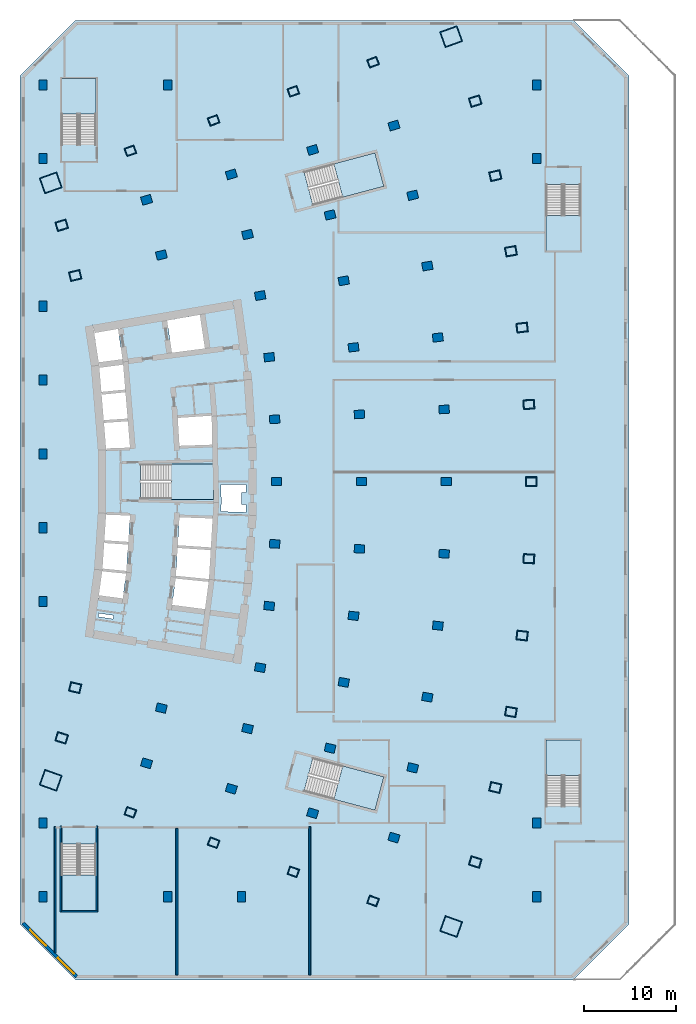
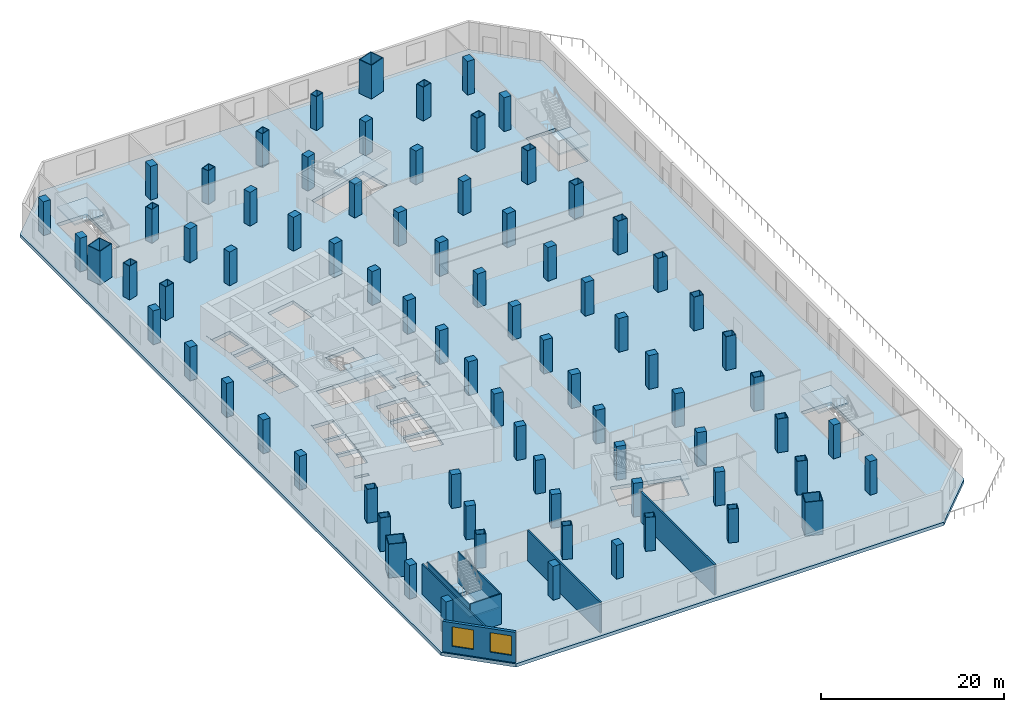
# One storey, part 1 of 14: 80 columns, 8 slabs, 7 walls, 2 windows, 2 openings, 7 elements without a shape of their own.
"""IFC4 building model written with IfcOpenShell, lengths in metres."""

from ifc_helpers import new_model, si_unit, direction, frame, frame_2d, origin, origin_2d, place, context, subcontext, project, spatial, polyline, rectangle, hollow_rectangle, outline, extrude, material, layer, layer_set, material_profile, profile_set, type_object, element, fill, aggregate, save


model = new_model("IFC4")

# Units and contexts
model_context = context("Model", 3, precision=1e-05, world=origin(), true_north=direction((0.0, 1.0)))
body_context = subcontext(model_context, "Body", "Model", "MODEL_VIEW")
ifc_project = project(units=[si_unit("LENGTHUNIT", "METRE"), si_unit("AREAUNIT", "SQUARE_METRE"), si_unit("VOLUMEUNIT", "CUBIC_METRE"), si_unit("PLANEANGLEUNIT", "RADIAN"), si_unit("MASSUNIT", "GRAM", prefix="KILO")], contexts=[model_context])

# Site, building, storey
site_placement = place(None, origin())
site = spatial("IfcSite", under=ifc_project, at=site_placement, CompositionType="ELEMENT")
building_placement = place(site_placement, origin())
building = spatial("IfcBuilding", under=site, at=building_placement, Name="Alderwake Tower", CompositionType="ELEMENT")
storey_placement = place(building_placement, frame((0.0, 0.0, 23.0)))
storey = spatial("IfcBuildingStorey", under=building, at=storey_placement, Name="L04", CompositionType="ELEMENT", Elevation=23.0)

# Columns
ifc_material_1 = material(Name="Steel ASTM A572 Grade 50 concrete filled C70/85", Category="concrete")
ifc_material_profile_1 = material_profile(ifc_material_1, hollow_rectangle(XDim=0.89990234375, YDim=1.10009765625, WallThickness=0.06005859375, at=origin_2d()), Name="BOX 1100X900X60")
ifc_profile_set_1 = profile_set([ifc_material_profile_1], Name="Steel ASTM A572 Grade 50 concrete filled C70/85")
column_type_1 = type_object("IfcColumnType", Name="End column Z1", PredefinedType="COLUMN", material=ifc_profile_set_1)
for number, where, z_axis, x_axis, name in (
    (1, (19.965576171875, 25.1484375, 0.0), (0.0, 0.0, 1.0), (0.337584879279, 0.9412950915, 0.0), "Column R01-C1"),
    (2, (28.983642578125, 21.856689453125, 0.0), (0.0, 0.0, 1.0), (0.338026774049, 0.941136493834, 0.0), "Column R01-C2"),
    (3, (37.6259765625, 18.701904296875, 0.0), (0.0, 0.0, 1.0), (0.338384834858, 0.941007812687, 0.0), "Column R01-C3"),
    (4, (46.268310546875, 15.547119140625, 0.0), (0.0, 0.0, 1.0), (0.338695224082, 0.940896139425, 0.0), "Column R01-C4"),
    (5, (19.965576171875, 96.8515625, 0.0), (0.0, 0.0, 1.0), (-0.337584879279, 0.9412950915, 0.0), "Column R13-C1"),
    (6, (28.983642578125, 100.143310546875, 0.0), (0.0, 0.0, 1.0), (-0.338026774049, 0.941136493834, 0.0), "Column R13-C2"),
    (7, (37.6259765625, 103.298095703125, 0.0), (0.0, 0.0, 1.0), (-0.338384834858, 0.941007812687, 0.0), "Column R13-C3"),
    (8, (46.268310546875, 106.452880859375, 0.0), (0.0, 0.0, 1.0), (-0.338695224082, 0.940896139425, 0.0), "Column R13-C4"),
):
    element("IfcColumn", number, at=place(storey_placement, frame(where, z_axis=z_axis, x_axis=x_axis)), inside=storey, type_object=column_type_1, Name=name, PredefinedType="COLUMN", context=body_context, shape_type="SweptSolid", body=[
        extrude(hollow_rectangle(XDim=0.89990234375, YDim=1.10009765625, WallThickness=0.06005859375, at=origin_2d()), origin(), (0.0, 0.0, 1.0), 4.5),
    ])
ifc_material_2 = material(Name="Concrete C70/85", Category="concrete")
ifc_material_profile_2 = material_profile(ifc_material_2, rectangle(XDim=0.89990234375, YDim=1.10009765625, at=origin_2d()), Name="RC 1100X900")
ifc_profile_set_2 = profile_set([ifc_material_profile_2], Name="Concrete C70/85")
column_type_2 = type_object("IfcColumnType", Name="Interior column Z1", PredefinedType="COLUMN", material=ifc_profile_set_2)
for number, where, z_axis, x_axis, name in (
    (9, (21.714599609375, 30.46240234375, 0.0), (0.0, 0.0, 1.0), (0.287549418125, 0.957765802342, 0.0), "Column R02-C1"),
    (10, (30.9091796875, 27.701904296875, 0.0), (0.0, 0.0, 1.0), (0.287549418125, 0.957765802342, 0.0), "Column R02-C2"),
    (11, (39.720703125, 25.056396484375, 0.0), (0.0, 0.0, 1.0), (0.287549418125, 0.957765802342, 0.0), "Column R02-C3"),
    (12, (48.5322265625, 22.410888671875, 0.0), (0.0, 0.0, 1.0), (0.287549418125, 0.957765802342, 0.0), "Column R02-C4"),
    (13, (23.322021484375, 36.444091796875, 0.0), (0.0, 0.0, 1.0), (0.231221547198, 0.972901123502, 0.0), "Column R03-C1"),
    (14, (32.661865234375, 34.224609375, 0.0), (0.0, 0.0, 1.0), (0.231221547198, 0.972901123502, 0.0), "Column R03-C2"),
    (15, (41.612548828125, 32.097412109375, 0.0), (0.0, 0.0, 1.0), (0.231221547198, 0.972901123502, 0.0), "Column R03-C3"),
    (16, (50.563232421875, 29.969970703125, 0.0), (0.0, 0.0, 1.0), (0.231221547198, 0.972901123502, 0.0), "Column R03-C4"),
    (17, (34.03125, 40.83837890625, 0.0), (0.0, 0.0, 1.0), (0.174108800747, 0.984726421654, 0.0), "Column R04-C2"),
    (18, (43.0908203125, 39.236572265625, 0.0), (0.0, 0.0, 1.0), (0.174108800747, 0.984726421654, 0.0), "Column R04-C3"),
    (19, (52.150390625, 37.634765625, 0.0), (0.0, 0.0, 1.0), (0.174108800747, 0.984726421654, 0.0), "Column R04-C4"),
    (20, (35.0126953125, 47.5205078125, 0.0), (0.0, 0.0, 1.0), (0.116402054316, 0.993202175668, 0.0), "Column R05-C2"),
    (21, (44.150390625, 46.44970703125, 0.0), (0.0, 0.0, 1.0), (0.116402054316, 0.993202175668, 0.0), "Column R05-C3"),
    (22, (53.28759765625, 45.37890625, 0.0), (0.0, 0.0, 1.0), (0.116402054316, 0.993202175668, 0.0), "Column R05-C4"),
    (23, (35.60302734375, 54.248779296875, 0.0), (0.0, 0.0, 1.0), (0.058301061284, 0.998299046505, 0.0), "Column R06-C2"),
    (24, (44.787353515625, 53.71240234375, 0.0), (0.0, 0.0, 1.0), (0.058299318924, 0.998299148258, 0.0), "Column R06-C3"),
    (25, (53.9716796875, 53.176025390625, 0.0), (0.0, 0.0, 1.0), (0.058301061284, 0.998299046505, 0.0), "Column R06-C4"),
    (26, (35.800048828125, 61.0, 0.0), (0.0, 0.0, 1.0), (0.0, 1.0, 0.0), "Column R07-C2"),
    (27, (45.0, 61.0, 0.0), (0.0, 0.0, 1.0), (0.0, 1.0, 0.0), "Column R07-C3"),
    (28, (54.199951171875, 61.0, 0.0), (0.0, 0.0, 1.0), (0.0, 1.0, 0.0), "Column R07-C4"),
    (29, (35.60302734375, 67.751220703125, 0.0), (0.0, 0.0, 1.0), (-0.058301061284, 0.998299046505, 0.0), "Column R08-C2"),
    (30, (44.787353515625, 68.28759765625, 0.0), (0.0, 0.0, 1.0), (-0.058299318924, 0.998299148258, 0.0), "Column R08-C3"),
    (31, (53.9716796875, 68.823974609375, 0.0), (0.0, 0.0, 1.0), (-0.058301061284, 0.998299046505, 0.0), "Column R08-C4"),
    (32, (35.0126953125, 74.4794921875, 0.0), (0.0, 0.0, 1.0), (-0.116402054316, 0.993202175668, 0.0), "Column R09-C2"),
    (33, (44.150390625, 75.55029296875, 0.0), (0.0, 0.0, 1.0), (-0.116402054316, 0.993202175668, 0.0), "Column R09-C3"),
    (34, (53.28759765625, 76.62109375, 0.0), (0.0, 0.0, 1.0), (-0.116402054316, 0.993202175668, 0.0), "Column R09-C4"),
    (35, (34.03125, 81.16162109375, 0.0), (0.0, 0.0, 1.0), (-0.174108800747, 0.984726421654, 0.0), "Column R10-C2"),
    (36, (43.0908203125, 82.763427734375, 0.0), (0.0, 0.0, 1.0), (-0.174108800747, 0.984726421654, 0.0), "Column R10-C3"),
    (37, (52.150390625, 84.365234375, 0.0), (0.0, 0.0, 1.0), (-0.174108800747, 0.984726421654, 0.0), "Column R10-C4"),
    (38, (23.322021484375, 85.555908203125, 0.0), (0.0, 0.0, 1.0), (-0.231221547198, 0.972901123502, 0.0), "Column R11-C1"),
    (39, (32.661865234375, 87.775390625, 0.0), (0.0, 0.0, 1.0), (-0.231221547198, 0.972901123502, 0.0), "Column R11-C2"),
    (40, (41.612548828125, 89.902587890625, 0.0), (0.0, 0.0, 1.0), (-0.231221547198, 0.972901123502, 0.0), "Column R11-C3"),
    (41, (50.563232421875, 92.030029296875, 0.0), (0.0, 0.0, 1.0), (-0.231221547198, 0.972901123502, 0.0), "Column R11-C4"),
    (42, (21.714599609375, 91.53759765625, 0.0), (0.0, 0.0, 1.0), (-0.287549418125, 0.957765802342, 0.0), "Column R12-C1"),
    (43, (30.9091796875, 94.298095703125, 0.0), (0.0, 0.0, 1.0), (-0.287549418125, 0.957765802342, 0.0), "Column R12-C2"),
    (44, (39.720703125, 96.943603515625, 0.0), (0.0, 0.0, 1.0), (-0.287549418125, 0.957765802342, 0.0), "Column R12-C3"),
    (45, (48.5322265625, 99.589111328125, 0.0), (0.0, 0.0, 1.0), (-0.287549418125, 0.957765802342, 0.0), "Column R12-C4"),
):
    element("IfcColumn", number, at=place(storey_placement, frame(where, z_axis=z_axis, x_axis=x_axis)), inside=storey, type_object=column_type_2, Name=name, PredefinedType="COLUMN", context=body_context, shape_type="SweptSolid", body=[
        extrude(rectangle(XDim=0.89990234375, YDim=1.10009765625, at=origin_2d()), origin(), (0.0, 0.0, 1.0), 4.5),
    ])
ifc_material_3 = material(Name="Steel ASTM A572 Grade 50 concrete filled C70/85", Category="concrete")
ifc_material_profile_3 = material_profile(ifc_material_3, hollow_rectangle(XDim=1.800048828125, YDim=2.0, WallThickness=0.090087890625, at=origin_2d()), Name="BOX 2000X1800X90")
ifc_profile_set_3 = profile_set([ifc_material_profile_3], Name="Steel ASTM A572 Grade 50 concrete filled C70/85")
column_type_3 = type_object("IfcColumnType", Name="Mega column Z1", PredefinedType="COLUMN", material=ifc_profile_set_3)
for number, where, z_axis, x_axis, name in (
    (46, (11.330810546875, 28.622802734375, 0.0), (0.0, 0.0, 1.0), (0.334130947791, 0.942526662609, 0.0), "Column R01-C0"),
    (47, (54.7294921875, 12.77587890625, 0.0), (0.0, 0.0, 1.0), (0.336995022772, 0.941506428351, 0.0), "Column R01-C5"),
    (48, (11.330810546875, 93.377197265625, 0.0), (0.0, 0.0, 1.0), (-0.334130947791, 0.942526662609, 0.0), "Column R13-C0"),
    (49, (54.7294921875, 109.22412109375, 0.0), (0.0, 0.0, 1.0), (-0.336995022772, 0.941506428351, 0.0), "Column R13-C5"),
):
    element("IfcColumn", number, at=place(storey_placement, frame(where, z_axis=z_axis, x_axis=x_axis)), inside=storey, type_object=column_type_3, Name=name, PredefinedType="COLUMN", context=body_context, shape_type="SweptSolid", body=[
        extrude(hollow_rectangle(XDim=1.800048828125, YDim=2.0, WallThickness=0.090087890625, at=origin_2d()), origin(), (0.0, 0.0, 1.0), 4.5),
    ])
ifc_material_4 = material(Name="Steel ASTM A572 Grade 50 concrete filled C70/85", Category="concrete")
ifc_material_profile_4 = material_profile(ifc_material_4, hollow_rectangle(XDim=1.0, YDim=1.199951171875, WallThickness=0.06005859375, at=origin_2d()), Name="BOX 1200X1000X60")
ifc_profile_set_4 = profile_set([ifc_material_profile_4], Name="Steel ASTM A572 Grade 50 concrete filled C70/85")
column_type_4 = type_object("IfcColumnType", Name="Perimeter column Z1", PredefinedType="COLUMN", material=ifc_profile_set_4)
for number, where, z_axis, x_axis, name in (
    (50, (12.520263671875, 33.222900390625, 0.0), (0.0, 0.0, 1.0), (0.287549418125, 0.957765802342, 0.0), "Column R02-C0"),
    (51, (57.343505859375, 19.765380859375, 0.0), (0.0, 0.0, 1.0), (0.287549418125, 0.957765802342, 0.0), "Column R02-C5"),
    (52, (13.982177734375, 38.6640625, 0.0), (0.0, 0.0, 1.0), (0.231221547198, 0.972901123502, 0.0), "Column R03-C0"),
    (53, (59.513916015625, 27.8427734375, 0.0), (0.0, 0.0, 1.0), (0.231221547198, 0.972901123502, 0.0), "Column R03-C5"),
    (54, (61.209716796875, 36.032958984375, 0.0), (0.0, 0.0, 1.0), (0.174108800747, 0.984726421654, 0.0), "Column R04-C5"),
    (55, (62.42529296875, 44.307861328125, 0.0), (0.0, 0.0, 1.0), (0.116402054316, 0.993202175668, 0.0), "Column R05-C5"),
    (56, (63.156005859375, 52.6396484375, 0.0), (0.0, 0.0, 1.0), (0.058301061284, 0.998299046505, 0.0), "Column R06-C5"),
    (57, (63.39990234375, 61.0, 0.0), (0.0, 0.0, 1.0), (0.0, 1.0, 0.0), "Column R07-C5"),
    (58, (63.156005859375, 69.3603515625, 0.0), (0.0, 0.0, 1.0), (-0.058301061284, 0.998299046505, 0.0), "Column R08-C5"),
    (59, (62.42529296875, 77.692138671875, 0.0), (0.0, 0.0, 1.0), (-0.116402054316, 0.993202175668, 0.0), "Column R09-C5"),
    (60, (61.209716796875, 85.967041015625, 0.0), (0.0, 0.0, 1.0), (-0.174108800747, 0.984726421654, 0.0), "Column R10-C5"),
    (61, (13.982177734375, 83.3359375, 0.0), (0.0, 0.0, 1.0), (-0.231221547198, 0.972901123502, 0.0), "Column R11-C0"),
    (62, (59.513916015625, 94.1572265625, 0.0), (0.0, 0.0, 1.0), (-0.231221547198, 0.972901123502, 0.0), "Column R11-C5"),
    (63, (12.520263671875, 88.777099609375, 0.0), (0.0, 0.0, 1.0), (-0.287549418125, 0.957765802342, 0.0), "Column R12-C0"),
    (64, (57.343505859375, 102.234619140625, 0.0), (0.0, 0.0, 1.0), (-0.287549418125, 0.957765802342, 0.0), "Column R12-C5"),
):
    element("IfcColumn", number, at=place(storey_placement, frame(where, z_axis=z_axis, x_axis=x_axis)), inside=storey, type_object=column_type_4, Name=name, PredefinedType="COLUMN", context=body_context, shape_type="SweptSolid", body=[
        extrude(hollow_rectangle(XDim=1.0, YDim=1.199951171875, WallThickness=0.06005859375, at=origin_2d()), origin(), (0.0, 0.0, 1.0), 4.5),
    ])
ifc_material_5 = material(Name="Concrete C70/85", Category="concrete")
ifc_material_profile_5 = material_profile(ifc_material_5, rectangle(XDim=0.89990234375, YDim=1.10009765625, at=origin_2d()), Name="RC 1100X900")
ifc_profile_set_5 = profile_set([ifc_material_profile_5], Name="Concrete C70/85")
column_type_5 = type_object("IfcColumnType", Name="Podium column", PredefinedType="COLUMN", material=ifc_profile_set_5)
for number, where, z_axis, x_axis, name in (
    (65, (10.5, 16.0, 0.0), (0.0, 0.0, 1.0), (1.0, 0.0, 0.0), "Column XW-YC"),
    (66, (10.5, 24.0, 0.0), (0.0, 0.0, 1.0), (1.0, 0.0, 0.0), "Column XW-YD"),
    (67, (10.5, 48.0, 0.0), (0.0, 0.0, 1.0), (1.0, 0.0, 0.0), "Column XW-YG"),
    (68, (10.5, 56.0, 0.0), (0.0, 0.0, 1.0), (1.0, 0.0, 0.0), "Column XW-YH"),
    (69, (10.5, 64.0, 0.0), (0.0, 0.0, 1.0), (1.0, 0.0, 0.0), "Column XW-YI"),
    (70, (10.5, 72.0, 0.0), (0.0, 0.0, 1.0), (1.0, 0.0, 0.0), "Column XW-YJ"),
    (71, (10.5, 80.0, 0.0), (0.0, 0.0, 1.0), (1.0, 0.0, 0.0), "Column XW-YK"),
    (72, (10.5, 96.0, 0.0), (0.0, 0.0, 1.0), (1.0, 0.0, 0.0), "Column XW-YM"),
    (73, (10.5, 104.0, 0.0), (0.0, 0.0, 1.0), (1.0, 0.0, 0.0), "Column XW-YN"),
    (74, (24.0, 16.0, 0.0), (0.0, 0.0, 1.0), (1.0, 0.0, 0.0), "Column X04-YC"),
    (75, (24.0, 104.0, 0.0), (0.0, 0.0, 1.0), (1.0, 0.0, 0.0), "Column X04-YN"),
    (76, (32.0, 16.0, 0.0), (0.0, 0.0, 1.0), (1.0, 0.0, 0.0), "Column X05-YC"),
    (77, (64.0, 16.0, 0.0), (0.0, 0.0, 1.0), (1.0, 0.0, 0.0), "Column X09-YC"),
    (78, (64.0, 24.0, 0.0), (0.0, 0.0, 1.0), (1.0, 0.0, 0.0), "Column X09-YD"),
    (79, (64.0, 96.0, 0.0), (0.0, 0.0, 1.0), (1.0, 0.0, 0.0), "Column X09-YM"),
    (80, (64.0, 104.0, 0.0), (0.0, 0.0, 1.0), (1.0, 0.0, 0.0), "Column X09-YN"),
):
    element("IfcColumn", number, at=place(storey_placement, frame(where, z_axis=z_axis, x_axis=x_axis)), inside=storey, type_object=column_type_5, Name=name, PredefinedType="COLUMN", context=body_context, shape_type="SweptSolid", body=[
        extrude(rectangle(XDim=0.89990234375, YDim=1.10009765625, at=origin_2d()), origin(), (0.0, 0.0, 1.0), 4.5),
    ])

# Slab
ifc_material_6 = material(Name="Concrete C50/60", Category="concrete")
ifc_layer_1 = layer(ifc_material_6, 0.449951171875)
ifc_layer_set_1 = layer_set([ifc_layer_1], Name="Concrete C50/60 post-tensioned flat plate 450")
slab_type_1 = type_object("IfcSlabType", Name="Concrete C50/60 post-tensioned flat plate 450", PredefinedType="FLOOR", material=ifc_layer_set_1)
slab_1_placement = place(storey_placement, frame((0.0, 0.0, -0.449951171875)))
element("IfcSlab", 81, at=slab_1_placement, inside=storey, type_object=slab_type_1, Name="Floor slab L04", PredefinedType="FLOOR", context=body_context, shape_type="SweptSolid", body=[
    extrude(outline(polyline([(8.0, 105.0), (14.0, 111.0), (68.0, 111.0), (74.0, 105.0), (74.0, 13.0), (68.0, 7.0), (14.0, 7.0), (8.0, 13.0), (8.0, 105.0)]), holes=[polyline([(16.25, 14.5), (16.25, 21.68994140625), (12.5, 21.68994140625), (12.5, 14.5), (16.25, 14.5)]), polyline([(16.943359375, 51.26953125), (16.9580078125, 51.4189453125), (16.972900390625, 51.568115234375), (19.525146484375, 51.31591796875), (19.71630859375, 54.164794921875), (17.153564453125, 54.33642578125), (17.16357421875, 54.486083984375), (17.173583984375, 54.6357421875), (19.736083984375, 54.464111328125), (19.92724609375, 57.312744140625), (17.364013671875, 57.403564453125), (17.369140625, 57.553466796875), (17.33935546875, 57.554443359375), (17.1337890625, 54.48828125), (16.927978515625, 51.421875), (16.92822265625, 51.421875), (16.50927734375, 48.377197265625), (16.5390625, 48.373291015625), (16.577880859375, 48.6708984375), (19.138671875, 48.3359375), (19.495361328125, 51.017333984375), (16.943359375, 51.26953125)]), polyline([(29.0, 62.875), (21.050048828125, 62.875), (21.050048828125, 59.125), (29.0, 59.125), (29.0, 62.875)]), polyline([(19.688720703125, 67.53271484375), (17.12548828125, 67.361083984375), (17.115478515625, 67.510498046875), (17.10546875, 67.660400390625), (19.6640625, 67.831787109375), (19.42822265625, 70.674560546875), (16.87646484375, 70.42236328125), (16.86181640625, 70.571533203125), (16.846923828125, 70.720947265625), (19.403564453125, 70.973388671875), (19.179931640625, 73.66943359375), (16.646484375, 73.338134765625), (16.607666015625, 73.635498046875), (16.56884765625, 73.93310546875), (19.111083984375, 74.265625), (18.6240234375, 77.531982421875), (18.919921875, 77.575927734375), (18.916748046875, 77.593994140625), (16.082275390625, 77.10546875), (15.9345703125, 77.9619140625), (15.634765625, 77.908935546875), (15.63525390625, 77.9052734375), (15.9140625, 77.9482421875), (16.57763671875, 73.631591796875), (16.578369140625, 73.626220703125), (16.831787109375, 70.568603515625), (17.085693359375, 67.508544921875), (17.33935546875, 64.4482421875), (17.33935546875, 64.445556640625), (17.369384765625, 64.446533203125), (17.364013671875, 64.596435546875), (19.9248046875, 64.687255859375), (19.688720703125, 67.53271484375)]), polyline([(12.5, 104.699951171875), (12.5, 97.510009765625), (16.25, 97.510009765625), (16.25, 104.699951171875), (12.5, 104.699951171875)]), polyline([(47.436279296875, 28.996826171875), (39.754150390625, 31.043212890625), (38.7890625, 27.41943359375), (46.47119140625, 25.373291015625), (47.436279296875, 28.996826171875)]), polyline([(65.0, 33.0), (65.0, 25.81005859375), (68.75, 25.81005859375), (68.75, 33.0), (65.0, 33.0)]), polyline([(28.4482421875, 50.1328125), (24.87451171875, 50.48583984375), (24.878662109375, 50.52783203125), (24.875, 50.5283203125), (24.48974609375, 47.635986328125), (28.05419921875, 47.169921875), (28.4482421875, 50.1328125)]), polyline([(28.669921875, 53.564453125), (25.080810546875, 53.804931640625), (24.89501953125, 50.731201171875), (24.898681640625, 50.730712890625), (24.904052734375, 50.784423828125), (28.484375, 50.4306640625), (28.669921875, 53.564453125)]), polyline([(28.873291015625, 56.99609375), (25.281494140625, 57.123291015625), (25.09912109375, 54.1044921875), (28.687744140625, 53.864013671875), (28.873291015625, 56.99609375)]), polyline([(28.769287109375, 68.0869140625), (28.764892578125, 68.141357421875), (25.101318359375, 67.895751953125), (25.2822265625, 64.876708984375), (28.83740234375, 65.002685546875), (28.769287109375, 68.0869140625)]), polyline([(27.490966796875, 79.072021484375), (23.932373046875, 78.45849609375), (23.93310546875, 78.454833984375), (23.9443359375, 78.45654296875), (24.4697265625, 74.972412109375), (24.36474609375, 74.95654296875), (24.365478515625, 74.952880859375), (28.0400390625, 75.433349609375), (27.490966796875, 79.072021484375)]), polyline([(65.0, 86.0), (68.75, 86.0), (68.75, 93.18994140625), (65.0, 93.18994140625), (65.0, 86.0)]), polyline([(47.436279296875, 93.003173828125), (46.47119140625, 96.626708984375), (38.7890625, 94.58056640625), (39.754150390625, 90.956787109375), (47.436279296875, 93.003173828125)]), polyline([(18.137451171875, 46.497314453125), (16.534912109375, 46.728759765625), (16.4833984375, 46.355712890625), (18.08544921875, 46.10693359375), (18.137451171875, 46.497314453125)]), polyline([(29.769775390625, 57.7548828125), (32.489990234375, 57.66650390625), (32.489990234375, 58.509033203125), (31.989990234375, 58.509033203125), (31.989990234375, 59.80908203125), (32.489990234375, 59.80908203125), (32.489990234375, 60.675048828125), (29.783447265625, 60.675048828125), (29.826416015625, 58.727294921875), (29.769775390625, 57.7548828125)])]), origin(), (0.0, 0.0, 1.0), 0.449951171875),
])

# Stair, slab
ifc_material_7 = material(Name="Concrete C40/50", Category="concrete")
stair_type_1 = type_object("IfcStairType", Name="Core exit stair", PredefinedType="HALF_TURN_STAIR", material=ifc_material_7)
stair_1_placement = place(storey_placement, origin())
stair_1 = element("IfcStair", 82, at=stair_1_placement, inside=storey, type_object=stair_type_1, Name="L04 Exit Stair B", PredefinedType="HALF_TURN_STAIR")
ifc_material_8 = material(Name="Concrete C40/50", Category="concrete")
ifc_layer_2 = layer(ifc_material_8, 0.199951171875)
ifc_layer_set_2 = layer_set([ifc_layer_2], Name="Core stair landing 200")
slab_type_2 = type_object("IfcSlabType", Name="Core stair landing 200", PredefinedType="LANDING", material=ifc_layer_set_2)
slab_2_placement = place(storey_placement, frame((0.0, 0.0, 2.050048828125)))
slab_2 = element("IfcSlab", 83, at=slab_2_placement, type_object=slab_type_2, Name="ST-B landing 1", PredefinedType="LANDING", context=body_context, shape_type="SweptSolid", body=[
    extrude(outline(polyline([(24.389892578125, 59.074951171875), (29.0, 59.074951171875), (29.0, 62.925048828125), (24.389892578125, 62.925048828125), (24.389892578125, 59.074951171875)])), origin(), (0.0, 0.0, 1.0), 0.199951171875),
])
aggregate(stair_1, [slab_2])

stair_2_placement = place(storey_placement, origin())
stair_2 = element("IfcStair", 84, at=stair_2_placement, inside=storey, type_object=stair_type_1, Name="L04 Exit Stair A", PredefinedType="HALF_TURN_STAIR")
slab_3_placement = place(storey_placement, frame((0.0, 0.0, 2.050048828125)))
slab_3 = element("IfcSlab", 85, at=slab_3_placement, type_object=slab_type_2, Name="ST-A landing 1", PredefinedType="LANDING", context=body_context, shape_type="SweptSolid", body=[
    extrude(outline(polyline([(42.981689453125, 91.81640625), (47.436279296875, 93.003173828125), (46.47119140625, 96.626708984375), (42.0166015625, 95.440185546875), (42.981689453125, 91.81640625)])), origin(), (0.0, 0.0, 1.0), 0.199951171875),
])
aggregate(stair_2, [slab_3])

stair_3_placement = place(storey_placement, origin())
stair_3 = element("IfcStair", 86, at=stair_3_placement, inside=storey, type_object=stair_type_1, Name="L04 Exit Stair C", PredefinedType="HALF_TURN_STAIR")
slab_4_placement = place(storey_placement, frame((0.0, 0.0, 2.050048828125)))
slab_4 = element("IfcSlab", 87, at=slab_4_placement, type_object=slab_type_2, Name="ST-C landing 1", PredefinedType="LANDING", context=body_context, shape_type="SweptSolid", body=[
    extrude(outline(polyline([(42.0166015625, 26.559814453125), (46.47119140625, 25.373291015625), (47.436279296875, 28.996826171875), (42.981689453125, 30.183349609375), (42.0166015625, 26.559814453125)])), origin(), (0.0, 0.0, 1.0), 0.199951171875),
])
aggregate(stair_3, [slab_4])

ifc_material_9 = material(Name="Concrete C40/50", Category="concrete")
stair_type_2 = type_object("IfcStairType", Name="Exit stair 1800 half-turn", PredefinedType="HALF_TURN_STAIR", material=ifc_material_9)
stair_4_placement = place(storey_placement, origin())
stair_4 = element("IfcStair", 88, at=stair_4_placement, inside=storey, type_object=stair_type_2, Name="L04 Podium stair P1", PredefinedType="HALF_TURN_STAIR")
slab_5_placement = place(storey_placement, frame((0.0, 0.0, 2.050048828125)))
slab_5 = element("IfcSlab", 89, at=slab_5_placement, type_object=slab_type_2, Name="ST-P1 landing 1", PredefinedType="LANDING", context=body_context, shape_type="SweptSolid", body=[
    extrude(outline(polyline([(12.5, 18.35009765625), (12.5, 14.5), (16.25, 14.5), (16.25, 18.35009765625), (12.5, 18.35009765625)])), origin(), (0.0, 0.0, 1.0), 0.199951171875),
])
aggregate(stair_4, [slab_5])

stair_5_placement = place(storey_placement, origin())
stair_5 = element("IfcStair", 90, at=stair_5_placement, inside=storey, type_object=stair_type_2, Name="L04 Podium stair P2", PredefinedType="HALF_TURN_STAIR")
slab_6_placement = place(storey_placement, frame((0.0, 0.0, 2.050048828125)))
slab_6 = element("IfcSlab", 91, at=slab_6_placement, type_object=slab_type_2, Name="ST-P2 landing 1", PredefinedType="LANDING", context=body_context, shape_type="SweptSolid", body=[
    extrude(outline(polyline([(16.25, 100.85009765625), (16.25, 104.699951171875), (12.5, 104.699951171875), (12.5, 100.85009765625), (16.25, 100.85009765625)])), origin(), (0.0, 0.0, 1.0), 0.199951171875),
])
aggregate(stair_5, [slab_6])

stair_6_placement = place(storey_placement, origin())
stair_6 = element("IfcStair", 92, at=stair_6_placement, inside=storey, type_object=stair_type_2, Name="L04 Podium stair P3", PredefinedType="HALF_TURN_STAIR")
slab_7_placement = place(storey_placement, frame((0.0, 0.0, 2.050048828125)))
slab_7 = element("IfcSlab", 93, at=slab_7_placement, type_object=slab_type_2, Name="ST-P3 landing 1", PredefinedType="LANDING", context=body_context, shape_type="SweptSolid", body=[
    extrude(outline(polyline([(65.0, 89.85009765625), (65.0, 86.0), (68.75, 86.0), (68.75, 89.85009765625), (65.0, 89.85009765625)])), origin(), (0.0, 0.0, 1.0), 0.199951171875),
])
aggregate(stair_6, [slab_7])

stair_7_placement = place(storey_placement, origin())
stair_7 = element("IfcStair", 94, at=stair_7_placement, inside=storey, type_object=stair_type_2, Name="L04 Podium stair P4", PredefinedType="HALF_TURN_STAIR")
slab_8_placement = place(storey_placement, frame((0.0, 0.0, 2.050048828125)))
slab_8 = element("IfcSlab", 95, at=slab_8_placement, type_object=slab_type_2, Name="ST-P4 landing 1", PredefinedType="LANDING", context=body_context, shape_type="SweptSolid", body=[
    extrude(outline(polyline([(68.75, 29.14990234375), (68.75, 33.0), (65.0, 33.0), (65.0, 29.14990234375), (68.75, 29.14990234375)])), origin(), (0.0, 0.0, 1.0), 0.199951171875),
])
aggregate(stair_7, [slab_8])

# Wall
ifc_material_10 = material(Name="Gypsum board on metal studs, rated")
ifc_layer_3 = layer(ifc_material_10, 0.159912109375)
ifc_layer_set_3 = layer_set([ifc_layer_3], Name="Corridor wall 160")
wall_type_1 = type_object("IfcWallType", Name="Corridor wall 160", PredefinedType="PARTITIONING", material=ifc_layer_set_3)
wall_1_placement = place(storey_placement, frame((11.799072265625, 9.906005859375, 0.0), z_axis=(0.0, 0.0, 1.0), x_axis=(0.0, 1.0, 0.0)))
element("IfcWall", 96, at=wall_1_placement, inside=storey, type_object=wall_type_1, Name="WL/L04/W23", PredefinedType="PARTITIONING", context=body_context, shape_type="SweptSolid", body=[
    extrude(rectangle(XDim=13.673095703125, YDim=0.159912109375, at=frame_2d((6.83642578125, 0.0))), origin(), (0.0, 0.0, 1.0), 4.050048828125),
])

# Wall, openings, windows
ifc_material_11 = material(Name="Precast concrete C50/60 spandrel panel", Category="concrete")
ifc_layer_4 = layer(ifc_material_11, 0.35009765625)
ifc_layer_set_4 = layer_set([ifc_layer_4], Name="External wall EW4 Precast concrete C50/60 podium")
wall_type_2 = type_object("IfcWallType", Name="External wall EW4 Precast concrete C50/60 podium", PredefinedType="SOLIDWALL", material=ifc_layer_set_4)
wall_2_placement = place(storey_placement, frame((8.35009765625, 13.14501953125, 0.0), z_axis=(0.0, 0.0, 1.0), x_axis=(0.707091913039, -0.707121649021, 0.0)))
wall_2 = element("IfcWall", 97, at=wall_2_placement, inside=storey, type_object=wall_type_2, Name="External wall 16", PredefinedType="SOLIDWALL", context=body_context, shape_type="SweptSolid", body=[
    extrude(rectangle(XDim=8.210205078125, YDim=0.35009765625, at=frame_2d((4.10498046875, 0.0))), origin(), (0.0, 0.0, 1.0), 4.050048828125),
])
opening_1_placement = place(wall_2_placement, frame((1.07470703125, 0.0, 0.89990234375)))
opening_1 = element("IfcOpeningElement", 98, at=opening_1_placement, cuts=wall_2, Name="Opening W6", PredefinedType="OPENING", context=body_context, shape_type="SweptSolid", body=[
    extrude(rectangle(XDim=2.39990234375, YDim=2.60009765625, at=frame_2d((1.199951171875, 1.300048828125))), frame((0.0, 0.18505859375, 0.0), z_axis=(0.0, -1.0, 0.0), x_axis=(1.0, 0.0, 0.0)), (0.0, 0.0, 1.0), 0.3701171875),
])
opening_2_placement = place(wall_2_placement, frame((5.359619140625, 0.0, 0.89990234375)))
opening_2 = element("IfcOpeningElement", 99, at=opening_2_placement, cuts=wall_2, Name="Opening W6", PredefinedType="OPENING", context=body_context, shape_type="SweptSolid", body=[
    extrude(rectangle(XDim=2.39990234375, YDim=2.60009765625, at=frame_2d((1.199951171875, 1.300048828125))), frame((0.0, 0.18505859375, 0.0), z_axis=(0.0, -1.0, 0.0), x_axis=(1.0, 0.0, 0.0)), (0.0, 0.0, 1.0), 0.3701171875),
])
ifc_material_12 = material(Name="Bronze tinted glass in aluminium frame", Category="aluminium")
window_type = type_object("IfcWindowType", Name="Window W6 podium", PartitioningType="DOUBLE_PANEL_VERTICAL", PredefinedType="WINDOW", material=ifc_material_12)
window_1_placement = place(opening_1_placement, origin())
window_1 = element("IfcWindow", 100, at=window_1_placement, inside=storey, type_object=window_type, Name="Window W6 podium", OverallHeight=2.60009765625, OverallWidth=2.39990234375, PartitioningType="DOUBLE_PANEL_VERTICAL", PredefinedType="WINDOW", context=body_context, shape_type="SweptSolid", body=[
    extrude(rectangle(XDim=2.39990234375, YDim=2.60009765625, at=frame_2d((1.199951171875, 1.300048828125))), frame((0.0, 0.030029296875, 0.0), z_axis=(0.0, -1.0, 0.0), x_axis=(1.0, 0.0, 0.0)), (0.0, 0.0, 1.0), 0.06005859375),
])
fill(opening_1, window_1)
window_2_placement = place(opening_2_placement, origin())
window_2 = element("IfcWindow", 101, at=window_2_placement, inside=storey, type_object=window_type, Name="Window W6 podium", OverallHeight=2.60009765625, OverallWidth=2.39990234375, PartitioningType="DOUBLE_PANEL_VERTICAL", PredefinedType="WINDOW", context=body_context, shape_type="SweptSolid", body=[
    extrude(rectangle(XDim=2.39990234375, YDim=2.60009765625, at=frame_2d((1.199951171875, 1.300048828125))), frame((0.0, 0.030029296875, 0.0), z_axis=(0.0, -1.0, 0.0), x_axis=(1.0, 0.0, 0.0)), (0.0, 0.0, 1.0), 0.06005859375),
])
fill(opening_2, window_2)

# Walls
ifc_material_13 = material(Name="Dense block masonry wall", Category="masonry")
ifc_layer_5 = layer(ifc_material_13, 0.199951171875)
ifc_layer_set_5 = layer_set([ifc_layer_5], Name="Party wall 200")
wall_type_3 = type_object("IfcWallType", Name="Party wall 200", PredefinedType="SOLIDWALL", material=ifc_layer_set_5)
wall_3_placement = place(storey_placement, frame((24.9990234375, 7.5, 0.0), z_axis=(0.0, 0.0, 1.0), x_axis=(0.0, 1.0, 0.0)))
element("IfcWall", 102, at=wall_3_placement, inside=storey, type_object=wall_type_3, Name="WL/L04/W01", PredefinedType="SOLIDWALL", context=body_context, shape_type="SweptSolid", body=[
    extrude(rectangle(XDim=15.9189453125, YDim=0.199951171875, at=frame_2d((7.95947265625, 0.0))), origin(), (0.0, 0.0, 1.0), 4.050048828125),
])
wall_4_placement = place(storey_placement, frame((39.39892578125, 7.5, 0.0), z_axis=(0.0, 0.0, 1.0), x_axis=(0.0, 1.0, 0.0)))
element("IfcWall", 103, at=wall_4_placement, inside=storey, type_object=wall_type_3, Name="WL/L04/W03", PredefinedType="SOLIDWALL", context=body_context, shape_type="SweptSolid", body=[
    extrude(rectangle(XDim=16.0791015625, YDim=0.199951171875, at=frame_2d((8.03955078125, 0.0))), origin(), (0.0, 0.0, 1.0), 4.050048828125),
])
ifc_material_14 = material(Name="Concrete C40/50", Category="concrete")
ifc_layer_6 = layer(ifc_material_14, 0.14990234375)
ifc_layer_set_6 = layer_set([ifc_layer_6], Name="Stair shaft wall 150 C40/50")
wall_type_4 = type_object("IfcWallType", Name="Stair shaft wall 150 C40/50", PredefinedType="SHEAR", material=ifc_layer_set_6)
wall_5_placement = place(storey_placement, frame((12.426025390625, 14.34912109375, 0.0), z_axis=(0.0, 0.0, 1.0), x_axis=(0.0, 1.0, 0.0)))
element("IfcWall", 104, at=wall_5_placement, inside=storey, type_object=wall_type_4, Name="WL/L04/W07", PredefinedType="SHEAR", context=body_context, shape_type="SweptSolid", body=[
    extrude(rectangle(XDim=9.2998046875, YDim=0.14990234375, at=frame_2d((4.64990234375, 0.0))), origin(), (0.0, 0.0, 1.0), 4.050048828125),
])
wall_6_placement = place(storey_placement, frame((12.5009765625, 14.424072265625, 0.0), z_axis=(0.0, 0.0, 1.0), x_axis=(1.0, 0.0, 0.0)))
element("IfcWall", 105, at=wall_6_placement, inside=storey, type_object=wall_type_4, Name="WL/L04/W08", PredefinedType="SHEAR", context=body_context, shape_type="SweptSolid", body=[
    extrude(rectangle(XDim=3.89990234375, YDim=0.14990234375, at=frame_2d((1.949951171875, 0.0))), origin(), (0.0, 0.0, 1.0), 4.050048828125),
])
wall_7_placement = place(storey_placement, frame((16.325927734375, 14.4990234375, 0.0), z_axis=(0.0, 0.0, 1.0), x_axis=(0.0, 1.0, 0.0)))
element("IfcWall", 106, at=wall_7_placement, inside=storey, type_object=wall_type_4, Name="WL/L04/W11", PredefinedType="SHEAR", context=body_context, shape_type="SweptSolid", body=[
    extrude(rectangle(XDim=9.14990234375, YDim=0.14990234375, at=frame_2d((4.574951171875, 0.0))), origin(), (0.0, 0.0, 1.0), 4.050048828125),
])

save(model, "model.ifc")
